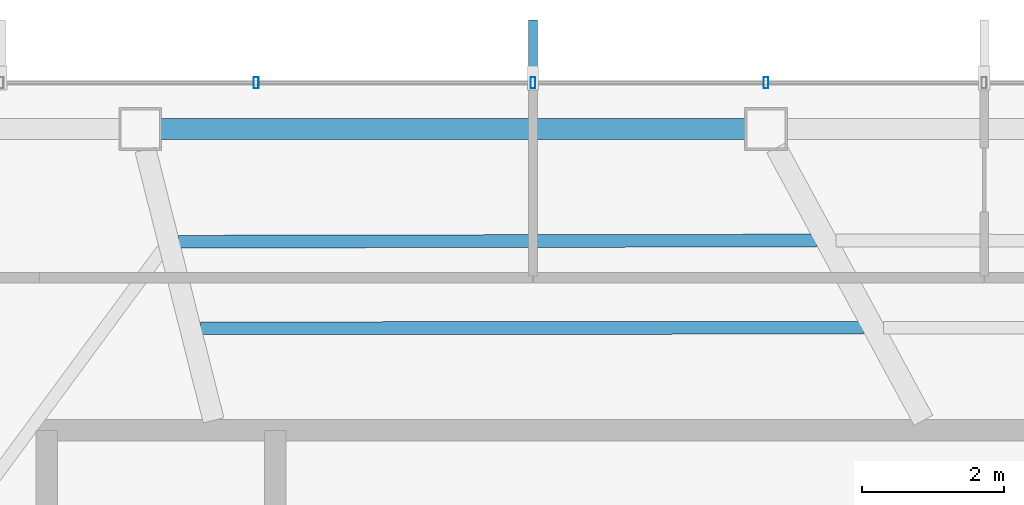
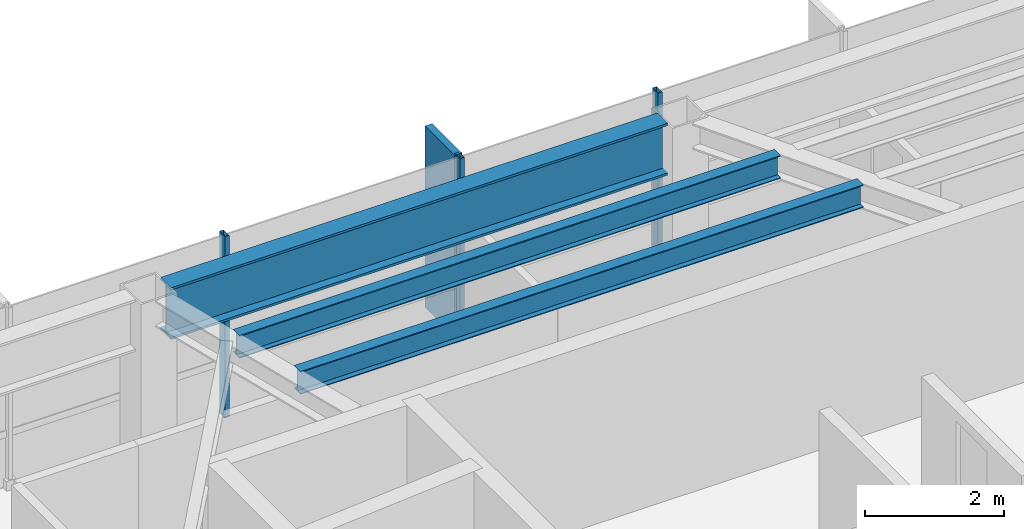
# One storey, part 14 of 28: 4 members, 3 beams, 1 element without a shape of its own.
"""IFC4 building model written with IfcOpenShell, lengths in metres."""

from ifc_helpers import new_model, si_unit, direction, frame, origin, origin_2d, place, context, subcontext, project, spatial, rectangle, hollow_rectangle, i_section, extrude, material, layer, layer_set, material_profile, profile_set, type_object, element, aggregate, save


model = new_model("IFC4")

# Units and contexts
model_context = context("Model", 3, precision=1e-05, world=origin(), true_north=direction((0.0, 1.0)))
body_context = subcontext(model_context, "Body", "Model", "MODEL_VIEW")
ifc_project = project(units=[si_unit("LENGTHUNIT", "METRE"), si_unit("AREAUNIT", "SQUARE_METRE"), si_unit("VOLUMEUNIT", "CUBIC_METRE"), si_unit("PLANEANGLEUNIT", "RADIAN"), si_unit("MASSUNIT", "GRAM", prefix="KILO")], contexts=[model_context])

# Site, building, storey
site_placement = place(None, origin())
site = spatial("IfcSite", under=ifc_project, at=site_placement, CompositionType="ELEMENT")
building_placement = place(site_placement, origin())
building = spatial("IfcBuilding", under=site, at=building_placement, Name="Zarrinselat Tower", CompositionType="ELEMENT")
storey_placement = place(building_placement, frame((0.0, 0.0, 222.360107421875)))
storey = spatial("IfcBuildingStorey", under=building, at=storey_placement, Name="L55", CompositionType="ELEMENT", Elevation=222.360107421875)

# Beams
ifc_material_1 = material(Name="Steel S460M", Category="steel")
ifc_material_profile_1 = material_profile(ifc_material_1, i_section(OverallWidth=0.302001953125, OverallDepth=0.909912109375, WebThickness=0.02099609375, FlangeThickness=0.0400390625, at=origin_2d()), Name="HEM 900")
ifc_profile_set_1 = profile_set([ifc_material_profile_1], Name="Steel S460M")
beam_type_1 = type_object("IfcBeamType", Name="BM-HEM900", PredefinedType="BEAM", material=ifc_profile_set_1)
beam_1_placement = place(storey_placement, frame((30.25341796875, 47.644287109375, 2.724853515625), z_axis=(1.0, 0.0, 0.0), x_axis=(0.0, 1.0, 0.0)))
element("IfcBeam", 1, at=beam_1_placement, inside=storey, type_object=beam_type_1, Name="L55 Perimeter Spandrel Girder SP03", PredefinedType="BEAM", context=body_context, shape_type="SweptSolid", body=[
    extrude(i_section(OverallWidth=0.302001953125, OverallDepth=0.909912109375, WebThickness=0.02099609375, FlangeThickness=0.0400390625, at=origin_2d()), origin(), (0.0, 0.0, 1.0), 8.240966796875),
])
ifc_material_2 = material(Name="Steel S355J2", Category="steel")
ifc_material_profile_2 = material_profile(ifc_material_2, i_section(OverallWidth=0.179931640625, OverallDepth=0.39990234375, WebThickness=0.008544921875, FlangeThickness=0.013427734375, at=origin_2d()), Name="IPE 400")
ifc_profile_set_2 = profile_set([ifc_material_profile_2], Name="Steel S355J2")
beam_type_2 = type_object("IfcBeamType", Name="BM-IPE400", PredefinedType="JOIST", material=ifc_profile_set_2)
beam_2_placement = place(storey_placement, frame((30.505859375, 46.055908203125, 2.97998046875), z_axis=(0.999998139218, 0.001929134547, 0.0), x_axis=(-0.001929134547, 0.999998139218, 0.0)))
element("IfcBeam", 2, at=beam_2_placement, inside=storey, type_object=beam_type_2, Name="L55 Composite Floor Joist 8-1", PredefinedType="JOIST", context=body_context, shape_type="SweptSolid", body=[
    extrude(i_section(OverallWidth=0.179931640625, OverallDepth=0.39990234375, WebThickness=0.008544921875, FlangeThickness=0.013427734375, at=origin_2d()), origin(), (0.0, 0.0, 1.0), 8.9853515625),
])
beam_3_placement = place(storey_placement, frame((30.8134765625, 44.836181640625, 2.97998046875), z_axis=(0.999999557371, 0.000940880876, 0.0), x_axis=(-0.000940880876, 0.999999557371, 0.0)))
element("IfcBeam", 3, at=beam_3_placement, inside=storey, type_object=beam_type_2, Name="L55 Composite Floor Joist 8-2", PredefinedType="JOIST", context=body_context, shape_type="SweptSolid", body=[
    extrude(i_section(OverallWidth=0.179931640625, OverallDepth=0.39990234375, WebThickness=0.008544921875, FlangeThickness=0.013427734375, at=origin_2d()), origin(), (0.0, 0.0, 1.0), 9.34130859375),
])

# Curtain wall, members
ifc_material_3 = material(Name="Extruded Aluminium Alloy EN AW-6063 T6", Category="aluminium")
ifc_layer = layer(ifc_material_3, 0.169921875)
ifc_layer_set = layer_set([ifc_layer], Name="Extruded Aluminium Alloy EN AW-6063 T6")
curtain_wall_type = type_object("IfcCurtainWallType", Name="CWS-RES", PredefinedType="NOTDEFINED", material=ifc_layer_set)
curtain_wall_placement = place(storey_placement, origin())
curtain_wall = element("IfcCurtainWall", 4, at=curtain_wall_placement, inside=storey, type_object=curtain_wall_type, Name="L55 Unitised Curtain Wall CW-L55-E01", PredefinedType="NOTDEFINED")
ifc_material_4 = material(Name="Extruded Aluminium Alloy EN AW-6063 T6", Category="aluminium")
ifc_material_profile_3 = material_profile(ifc_material_4, hollow_rectangle(XDim=0.070068359375, YDim=0.159912109375, WallThickness=0.00390625, at=origin_2d()), Name="RHS 160x70x4")
ifc_profile_set_3 = profile_set([ifc_material_profile_3], Name="Extruded Aluminium Alloy EN AW-6063 T6")
member_type_1 = type_object("IfcMemberType", Name="MEM-CW-MUL2", PredefinedType="MULLION", material=ifc_profile_set_3)
member_1_placement = place(storey_placement, frame((38.782470703125, 48.29443359375, 0.0), z_axis=(0.0, 0.0, 1.0), x_axis=(-1.0, 0.0, 0.0)))
member_1 = element("IfcMember", 5, at=member_1_placement, type_object=member_type_1, Name="CW-L55-E01 Mullion 6", PredefinedType="MULLION", context=body_context, shape_type="SweptSolid", body=[
    extrude(hollow_rectangle(XDim=0.070068359375, YDim=0.159912109375, WallThickness=0.00390625, at=origin_2d()), origin(), (0.0, 0.0, 1.0), 3.179931640625),
])
member_2_placement = place(storey_placement, frame((35.5, 48.29443359375, 0.0), z_axis=(0.0, 0.0, 1.0), x_axis=(-1.0, 0.0, 0.0)))
member_2 = element("IfcMember", 6, at=member_2_placement, type_object=member_type_1, Name="CW-L55-E01 Mullion 7", PredefinedType="MULLION", context=body_context, shape_type="SweptSolid", body=[
    extrude(hollow_rectangle(XDim=0.070068359375, YDim=0.159912109375, WallThickness=0.00390625, at=origin_2d()), origin(), (0.0, 0.0, 1.0), 3.179931640625),
])
member_3_placement = place(storey_placement, frame((31.599609375, 48.29443359375, 0.0), z_axis=(0.0, 0.0, 1.0), x_axis=(-1.0, 0.0, 0.0)))
member_3 = element("IfcMember", 7, at=member_3_placement, type_object=member_type_1, Name="CW-L55-E01 Mullion 8", PredefinedType="MULLION", context=body_context, shape_type="SweptSolid", body=[
    extrude(hollow_rectangle(XDim=0.070068359375, YDim=0.159912109375, WallThickness=0.00390625, at=origin_2d()), origin(), (0.0, 0.0, 1.0), 3.179931640625),
])
ifc_material_5 = material(Name="Honed Cream Travertine Stone", Category="masonry")
ifc_material_profile_4 = material_profile(ifc_material_5, rectangle(XDim=0.1201171875, YDim=0.85009765625, at=origin_2d()), Name="FIN 850x120")
ifc_profile_set_4 = profile_set([ifc_material_profile_4], Name="Honed Cream Travertine Stone")
member_type_2 = type_object("IfcMemberType", Name="MEM-STONE-FIN", PredefinedType="USERDEFINED", material=ifc_profile_set_4)
member_4_placement = place(storey_placement, frame((35.5, 48.75439453125, 0.0), z_axis=(0.0, 0.0, 1.0), x_axis=(1.0, 0.0, 0.0)))
member_4 = element("IfcMember", 8, at=member_4_placement, type_object=member_type_2, Name="L55 Stone Shading Fin CW-L55-E01-07", ObjectType="FIN", PredefinedType="USERDEFINED", context=body_context, shape_type="SweptSolid", body=[
    extrude(rectangle(XDim=0.1201171875, YDim=0.85009765625, at=origin_2d()), origin(), (0.0, 0.0, 1.0), 3.179931640625),
])
aggregate(curtain_wall, [member_1, member_2, member_4, member_3])

save(model, "model.ifc")
